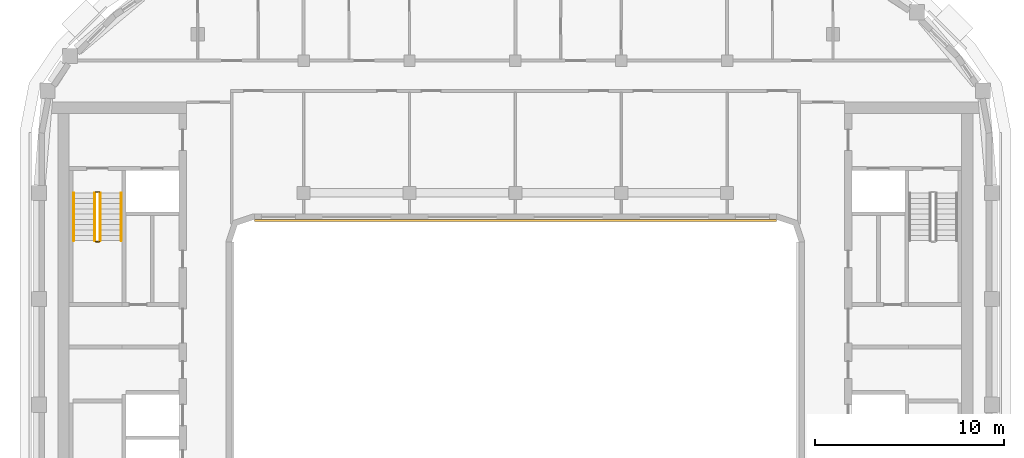
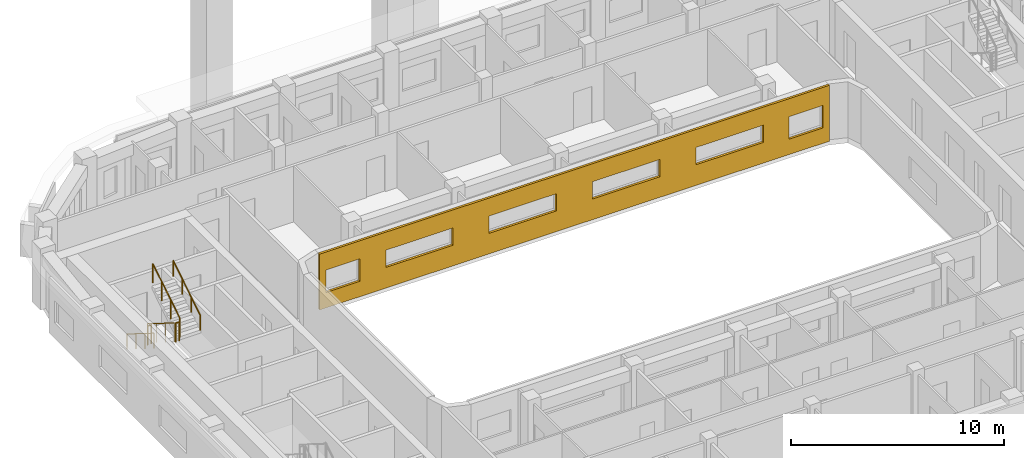
# One storey, part 14 of 18: 6 railings, 1 covering.
"""IFC4 building model written with IfcOpenShell, lengths in metres."""

import ifcopenshell
import ifcopenshell.guid

model = None  # the IFC model being written
_history = None  # IfcOwnerHistory: only IFC2X3 demands one
_inside = {}  # id of a spatial element -> (the spatial element, [elements in it])
_under = {}  # id of a project, library or spatial element -> (it, [spatial elements below it])
_declared = {}  # id of a project -> (the project, [libraries it declares])
_typed = {}  # id of a type object -> (the type object, [elements of that type])
_made_of = {}  # id of a material, layer set ... -> (it, [elements and type objects made of it])


def new_model(schema):
    """Start an empty IFC model of exactly this schema.

    Asked for "IFC4X3", IfcOpenShell would pick the latest addendum, in which some entities
    have other attributes; the version numbers below select the first issue.
    IFC2X3 requires an IfcOwnerHistory on every rooted entity: one is made here for all.
    """
    global model, _history
    if schema == "IFC4X3":
        model = ifcopenshell.file(schema_version=(4, 3, 0, 0))
    else:
        model = ifcopenshell.file(schema=schema)
    _inside.clear()
    _under.clear()
    _declared.clear()
    _typed.clear()
    _made_of.clear()
    _history = None
    if model.schema == "IFC2X3":
        org = make("IfcOrganization", Name="unknown")
        user = make(
            "IfcPersonAndOrganization",
            ThePerson=make("IfcPerson", FamilyName="unknown"),
            TheOrganization=org,
        )
        app = make(
            "IfcApplication",
            ApplicationDeveloper=org,
            Version="unknown",
            ApplicationFullName="unknown",
            ApplicationIdentifier="unknown",
        )
        _history = make(
            "IfcOwnerHistory",
            OwningUser=user,
            OwningApplication=app,
            ChangeAction="ADDED",
            CreationDate=0,
        )
    return model


def make(cls, **values):
    """One entity of the class cls with the attributes given. An attribute that is None is left unset."""
    return model.create_entity(
        cls, **{name: value for name, value in values.items() if value is not None}
    )


def rooted(cls, **values):
    """An entity with a GlobalId (a new one), such as an element, a storey or a relation."""
    return make(cls, GlobalId=ifcopenshell.guid.new(), OwnerHistory=_history, **values)


def si_unit(unit_type, name, prefix=None):
    """IfcSIUnit, for example si_unit("LENGTHUNIT", "METRE", prefix="MILLI")."""
    return make("IfcSIUnit", UnitType=unit_type, Prefix=prefix, Name=name)


def assignment(units):
    """IfcUnitAssignment: the units of a project."""
    return None if units is None else make("IfcUnitAssignment", Units=units)


def point(xyz):
    """IfcCartesianPoint."""
    return None if xyz is None else make("IfcCartesianPoint", Coordinates=xyz)


def direction(xyz):
    """IfcDirection."""
    return None if xyz is None else make("IfcDirection", DirectionRatios=xyz)


def frame(location, z_axis=None, x_axis=None):
    """IfcAxis2Placement3D, a coordinate frame: its origin and axes. An axis left out is left unset."""
    return make(
        "IfcAxis2Placement3D",
        Location=point(location),
        Axis=direction(z_axis),
        RefDirection=direction(x_axis),
    )


def frame_2d(location, x_axis=None):
    """IfcAxis2Placement2D, a coordinate frame in the plane: its origin and x axis."""
    return make(
        "IfcAxis2Placement2D", Location=point(location), RefDirection=direction(x_axis)
    )


def origin():
    """The frame at (0, 0, 0) with its axes left unset."""
    return frame((0.0, 0.0, 0.0))


def origin_2d():
    """The frame at (0, 0) in the plane with its x axis left unset."""
    return frame_2d((0.0, 0.0))


def place(relative_to, where):
    """IfcLocalPlacement: puts the frame where relative to a parent placement (None: the world)."""
    return make(
        "IfcLocalPlacement", PlacementRelTo=relative_to, RelativePlacement=where
    )


def context(
    kind, dimensions, precision=None, world=None, true_north=None, identifier=None
):
    """IfcGeometricRepresentationContext, for example the 3D "Model" context."""
    return make(
        "IfcGeometricRepresentationContext",
        ContextIdentifier=identifier,
        ContextType=kind,
        CoordinateSpaceDimension=dimensions,
        Precision=precision,
        WorldCoordinateSystem=world,
        TrueNorth=true_north,
    )


def subcontext(parent, identifier, kind, view, scale=None):
    """IfcGeometricRepresentationSubContext, for example "Body" below "Model"."""
    return make(
        "IfcGeometricRepresentationSubContext",
        ContextIdentifier=identifier,
        ContextType=kind,
        ParentContext=parent,
        TargetScale=scale,
        TargetView=view,
    )


def project(units=None, contexts=None):
    """IfcProject with its units and contexts."""
    return rooted(
        "IfcProject",
        Name="project",
        RepresentationContexts=contexts,
        UnitsInContext=assignment(units),
    )


def spatial(cls, under=None, at=None, **own):
    """A site, building, storey or space (cls), placed at a placement, below another one or the project."""
    s = rooted(cls, ObjectPlacement=at, **own)
    if under is not None:
        _under.setdefault(under.id(), (under, []))[1].append(s)
    return s


def polyline(points):
    """IfcPolyline through the points."""
    return make("IfcPolyline", Points=[point(p) for p in points])


def profile(cls, at=None, kind="AREA", **sizes):
    """A parametric profile (cls). Its sizes go by their IFC names, for example OverallWidth=200.0."""
    return make(cls, ProfileType=kind, Position=at, **sizes)


def circle(**sizes):
    """IfcCircleProfileDef."""
    return profile("IfcCircleProfileDef", **sizes)


def outline(outer, holes=None, kind="AREA"):
    """IfcArbitraryClosedProfileDef: a profile drawn as a closed curve; with holes, ...WithVoids."""
    if holes is None:
        return make("IfcArbitraryClosedProfileDef", ProfileType=kind, OuterCurve=outer)
    return make(
        "IfcArbitraryProfileDefWithVoids",
        ProfileType=kind,
        OuterCurve=outer,
        InnerCurves=holes,
    )


def extrude(swept, where, along, depth):
    """IfcExtrudedAreaSolid: the profile swept, set in the frame where, extruded along a direction by depth."""
    return make(
        "IfcExtrudedAreaSolid",
        SweptArea=swept,
        Position=where,
        ExtrudedDirection=direction(along),
        Depth=depth,
    )


def shape(context_of_items, identifier, shape_type, items):
    """IfcShapeRepresentation: the items that make up one representation, for example the "Body"."""
    return make(
        "IfcShapeRepresentation",
        ContextOfItems=context_of_items,
        RepresentationIdentifier=identifier,
        RepresentationType=shape_type,
        Items=items,
    )


def material(Name=None, Category=None):
    """IfcMaterial."""
    return make("IfcMaterial", Name=Name, Category=Category)


def layer(
    of_material, thickness, ventilated=None, Name=None, Category=None, Priority=None
):
    """IfcMaterialLayer: one layer of a wall or slab, of a material (None: an air gap)."""
    return make(
        "IfcMaterialLayer",
        Material=of_material,
        LayerThickness=thickness,
        IsVentilated=ventilated,
        Name=Name,
        Category=Category,
        Priority=Priority,
    )


def layer_set(layers, Name=None):
    """IfcMaterialLayerSet."""
    return make("IfcMaterialLayerSet", MaterialLayers=layers, LayerSetName=Name)


def made_of(thing, what):
    """Note that an element or type object is made of a material, layer set ...; save() writes the relation."""
    if what is not None:
        _made_of.setdefault(what.id(), (what, []))[1].append(thing)
    return thing


def type_object(cls, material=None, **own):
    """A type object (cls), such as IfcWallType, which elements share."""
    return made_of(rooted(cls, **own), material)


def element(
    cls,
    number,
    at=None,
    inside=None,
    cuts=None,
    type_object=None,
    material=None,
    context=None,
    identifier="Body",
    shape_type=None,
    held_by="IfcProductDefinitionShape",
    body=None,
    shapes=None,
    **own,
):
    """One element of the class cls, such as IfcWall. Its Tag is "e" and its number.

    at: its placement. inside: the storey or other place that contains it. cuts: it is an
    opening in that element (IfcRelVoidsElement). A single representation is given by context,
    identifier, shape_type and body (its items); several are given by shapes. held_by: the class
    of the entity that holds the representations. save() writes the other relations.
    """
    e = rooted(cls, Tag="e%d" % number, ObjectPlacement=at, **own)
    if body is not None:
        shapes = [shape(context, identifier, shape_type, body)]
    if shapes is not None:
        e.Representation = make(held_by, Representations=shapes)
    if inside is not None:
        _inside.setdefault(inside.id(), (inside, []))[1].append(e)
    if cuts is not None:
        rooted(
            "IfcRelVoidsElement", RelatingBuildingElement=cuts, RelatedOpeningElement=e
        )
    if type_object is not None:
        _typed.setdefault(type_object.id(), (type_object, []))[1].append(e)
    return made_of(e, material)


def aggregate(whole, parts):
    """IfcRelAggregates: a whole, such as a stair, and the parts it consists of."""
    return rooted("IfcRelAggregates", RelatingObject=whole, RelatedObjects=parts)


def save(model, path):
    """Write the relations noted so far, then the file.

    IfcRelAggregates (storeys below a building ...), IfcRelContainedInSpatialStructure (elements
    in a storey), IfcRelDefinesByType, IfcRelAssociatesMaterial and IfcRelDeclares: one each for
    every whole, place, type object, material and project.
    """
    for whole, parts in _under.values():
        aggregate(whole, parts)
    for where, things in _inside.values():
        rooted(
            "IfcRelContainedInSpatialStructure",
            RelatedElements=things,
            RelatingStructure=where,
        )
    for kind, things in _typed.values():
        rooted("IfcRelDefinesByType", RelatedObjects=things, RelatingType=kind)
    for what, things in _made_of.values():
        rooted("IfcRelAssociatesMaterial", RelatedObjects=things, RelatingMaterial=what)
    for by, libraries in _declared.values():
        rooted("IfcRelDeclares", RelatingContext=by, RelatedDefinitions=libraries)
    model.write(path)


model = new_model("IFC4")

# Units and contexts
model_context = context("Model", 3, precision=1e-05, world=origin(), true_north=direction((0.0, 1.0)))
body_context = subcontext(model_context, "Body", "Model", "MODEL_VIEW")
ifc_project = project(units=[si_unit("LENGTHUNIT", "METRE"), si_unit("AREAUNIT", "SQUARE_METRE"), si_unit("VOLUMEUNIT", "CUBIC_METRE"), si_unit("PLANEANGLEUNIT", "RADIAN"), si_unit("MASSUNIT", "GRAM", prefix="KILO")], contexts=[model_context])

# Site, building, storey
site_placement = place(None, origin())
site = spatial("IfcSite", under=ifc_project, at=site_placement, CompositionType="ELEMENT")
building_placement = place(site_placement, origin())
building = spatial("IfcBuilding", under=site, at=building_placement, Name="Kiln Ring Residences", CompositionType="ELEMENT")
storey_placement = place(building_placement, frame((0.0, 0.0, 262.699951171875)))
storey = spatial("IfcBuildingStorey", under=building, at=storey_placement, Name="L68", CompositionType="ELEMENT", Elevation=262.699951171875)

# Railings
ifc_material_1 = material(Name="Stainless steel", Category="steel")
railing_type_1 = type_object("IfcRailingType", Name="CORE-STAIR-GUARD", PredefinedType="GUARDRAIL", material=ifc_material_1)
railing_1_placement = place(storey_placement, frame((-22.25, 8.39990234375, 0.175048828125)))
element("IfcRailing", 1, at=railing_1_placement, inside=storey, type_object=railing_type_1, Name="L68 W-STN stair guard 1", PredefinedType="GUARDRAIL", context=body_context, shape_type="SweptSolid", body=[
    extrude(circle(Radius=0.02392578125, at=origin_2d()), frame((0.0, 0.0, 1.076171875), z_axis=(0.0, -0.848007534815, 0.529984170421), x_axis=(1.0, 0.0, 0.0)), (0.0, 0.0, 1.0), 2.9716796875),
    extrude(circle(Radius=0.02099609375, at=origin_2d()), origin(), (0.0, 0.0, 1.0), 1.052001953125),
    extrude(circle(Radius=0.02099609375, at=origin_2d()), frame((0.0, -0.840087890625, 0.52490234375)), (0.0, 0.0, 1.0), 1.052001953125),
    extrude(circle(Radius=0.02099609375, at=origin_2d()), frame((0.0, -1.679931640625, 1.050048828125)), (0.0, 0.0, 1.0), 1.052001953125),
    extrude(circle(Radius=0.02099609375, at=origin_2d()), frame((0.0, -2.52001953125, 1.574951171875)), (0.0, 0.0, 1.0), 1.052001953125),
])
railing_2_placement = place(storey_placement, frame((-22.199951171875, 5.830078125, 1.75)))
element("IfcRailing", 2, at=railing_2_placement, inside=storey, type_object=railing_type_1, Name="L68 W-STN stair guard 2", PredefinedType="GUARDRAIL", context=body_context, shape_type="SweptSolid", body=[
    extrude(circle(Radius=0.02392578125, at=origin_2d()), frame((0.0, 0.0, 1.076171875), z_axis=(1.0, 0.0, 0.0), x_axis=(0.0, 1.0, 0.0)), (0.0, 0.0, 1.0), 0.199951171875),
    extrude(circle(Radius=0.02099609375, at=origin_2d()), origin(), (0.0, 0.0, 1.0), 1.052001953125),
    extrude(circle(Radius=0.02099609375, at=origin_2d()), frame((0.199951171875, 0.0, 0.0)), (0.0, 0.0, 1.0), 1.052001953125),
])
railing_3_placement = place(storey_placement, frame((-21.949951171875, 5.8798828125, 1.925048828125)))
element("IfcRailing", 3, at=railing_3_placement, inside=storey, type_object=railing_type_1, Name="L68 W-STN stair guard 3", PredefinedType="GUARDRAIL", context=body_context, shape_type="SweptSolid", body=[
    extrude(circle(Radius=0.02392578125, at=origin_2d()), frame((0.0, 0.0, 1.076171875), z_axis=(0.0, 0.848007534815, 0.529984170421), x_axis=(-1.0, 0.0, 0.0)), (0.0, 0.0, 1.0), 2.9716796875),
    extrude(circle(Radius=0.02099609375, at=origin_2d()), origin(), (0.0, 0.0, 1.0), 1.052001953125),
    extrude(circle(Radius=0.02099609375, at=origin_2d()), frame((0.0, 0.840087890625, 0.52490234375)), (0.0, 0.0, 1.0), 1.052001953125),
    extrude(circle(Radius=0.02099609375, at=origin_2d()), frame((0.0, 1.679931640625, 1.050048828125)), (0.0, 0.0, 1.0), 1.052001953125),
    extrude(circle(Radius=0.02099609375, at=origin_2d()), frame((0.0, 2.52001953125, 1.574951171875)), (0.0, 0.0, 1.0), 1.052001953125),
])
railing_4_placement = place(storey_placement, frame((-22.199951171875, 8.449951171875, 0.0)))
element("IfcRailing", 4, at=railing_4_placement, inside=storey, type_object=railing_type_1, Name="L68 W-STN stair guard 4", PredefinedType="GUARDRAIL", context=body_context, shape_type="SweptSolid", body=[
    extrude(circle(Radius=0.02392578125, at=origin_2d()), frame((0.0, 0.0, 1.076171875), z_axis=(1.0, 0.0, 0.0), x_axis=(0.0, 1.0, 0.0)), (0.0, 0.0, 1.0), 0.199951171875),
    extrude(circle(Radius=0.02099609375, at=origin_2d()), origin(), (0.0, 0.0, 1.0), 1.052001953125),
    extrude(circle(Radius=0.02099609375, at=origin_2d()), frame((0.199951171875, 0.0, 0.0)), (0.0, 0.0, 1.0), 1.052001953125),
])
ifc_material_2 = material(Name="Stainless steel", Category="steel")
railing_type_2 = type_object("IfcRailingType", Name="CORE-STAIR-HANDRAIL", PredefinedType="HANDRAIL", material=ifc_material_2)
railing_5_placement = place(storey_placement, frame((-23.35009765625, 8.39990234375, 0.175048828125)))
element("IfcRailing", 5, at=railing_5_placement, inside=storey, type_object=railing_type_2, Name="L68 W-STN stair handrail 1", PredefinedType="HANDRAIL", context=body_context, shape_type="SweptSolid", body=[
    extrude(circle(Radius=0.02392578125, at=origin_2d()), frame((0.0, 0.0, 0.8759765625), z_axis=(0.0, -0.848007534815, 0.529984170421), x_axis=(1.0, 0.0, 0.0)), (0.0, 0.0, 1.0), 2.9716796875),
    extrude(circle(Radius=0.02099609375, at=origin_2d()), origin(), (0.0, 0.0, 1.0), 0.851806640625),
    extrude(circle(Radius=0.02099609375, at=origin_2d()), frame((0.0, -0.840087890625, 0.52490234375)), (0.0, 0.0, 1.0), 0.851806640625),
    extrude(circle(Radius=0.02099609375, at=origin_2d()), frame((0.0, -1.679931640625, 1.050048828125)), (0.0, 0.0, 1.0), 0.851806640625),
    extrude(circle(Radius=0.02099609375, at=origin_2d()), frame((0.0, -2.52001953125, 1.574951171875)), (0.0, 0.0, 1.0), 0.851806640625),
])
railing_6_placement = place(storey_placement, frame((-20.85009765625, 5.8798828125, 1.925048828125)))
element("IfcRailing", 6, at=railing_6_placement, inside=storey, type_object=railing_type_2, Name="L68 W-STN stair handrail 2", PredefinedType="HANDRAIL", context=body_context, shape_type="SweptSolid", body=[
    extrude(circle(Radius=0.02392578125, at=origin_2d()), frame((0.0, 0.0, 0.8759765625), z_axis=(0.0, 0.848007534815, 0.529984170421), x_axis=(-1.0, 0.0, 0.0)), (0.0, 0.0, 1.0), 2.9716796875),
    extrude(circle(Radius=0.02099609375, at=origin_2d()), origin(), (0.0, 0.0, 1.0), 0.851806640625),
    extrude(circle(Radius=0.02099609375, at=origin_2d()), frame((0.0, 0.840087890625, 0.52490234375)), (0.0, 0.0, 1.0), 0.851806640625),
    extrude(circle(Radius=0.02099609375, at=origin_2d()), frame((0.0, 1.679931640625, 1.050048828125)), (0.0, 0.0, 1.0), 0.851806640625),
    extrude(circle(Radius=0.02099609375, at=origin_2d()), frame((0.0, 2.52001953125, 1.574951171875)), (0.0, 0.0, 1.0), 0.851806640625),
])

# Covering
ifc_material_3 = material(Name="Brick masonry, dark clay brick", Category="masonry")
ifc_layer = layer(ifc_material_3, 0.1201171875)
ifc_layer_set = layer_set([ifc_layer], Name="RAINSCREEN PANEL 120")
covering_type = type_object("IfcCoveringType", Name="RAINSCREEN PANEL 120", PredefinedType="CLADDING", material=ifc_layer_set)
covering_placement = place(storey_placement, frame((-13.800048828125, 6.93994140625, 0.0), z_axis=(0.0, 0.0, 1.0), x_axis=(1.0, 0.0, 0.0)))
element("IfcCovering", 7, at=covering_placement, inside=storey, type_object=covering_type, Name="RAINSCREEN L68", PredefinedType="CLADDING", context=body_context, shape_type="SweptSolid", body=[
    extrude(outline(polyline([(0.0, 0.0), (27.60009765625, 0.0), (27.60009765625, 3.199951171875), (0.0, 3.199951171875), (0.0, 0.0)]), holes=[polyline([(2.1826171875, 0.880126953125), (2.1826171875, 2.170166015625), (0.342529296875, 2.170166015625), (0.342529296875, 0.880126953125), (2.1826171875, 0.880126953125)]), polyline([(25.41748046875, 0.880126953125), (27.257568359375, 0.880126953125), (27.257568359375, 2.170166015625), (25.41748046875, 2.170166015625), (25.41748046875, 0.880126953125)]), polyline([(3.580078125, 1.179931640625), (7.219970703125, 1.179931640625), (7.219970703125, 2.170166015625), (3.580078125, 2.170166015625), (3.580078125, 1.179931640625)]), polyline([(12.820068359375, 1.179931640625), (12.820068359375, 2.170166015625), (9.179931640625, 2.170166015625), (9.179931640625, 1.179931640625), (12.820068359375, 1.179931640625)]), polyline([(14.780029296875, 1.179931640625), (18.419921875, 1.179931640625), (18.419921875, 2.170166015625), (14.780029296875, 2.170166015625), (14.780029296875, 1.179931640625)]), polyline([(20.3798828125, 1.179931640625), (24.02001953125, 1.179931640625), (24.02001953125, 2.170166015625), (20.3798828125, 2.170166015625), (20.3798828125, 1.179931640625)])]), frame((0.0, 0.06005859375, 0.0), z_axis=(0.0, -1.0, 0.0), x_axis=(1.0, 0.0, 0.0)), (0.0, 0.0, 1.0), 0.1201171875),
])

save(model, "model.ifc")
